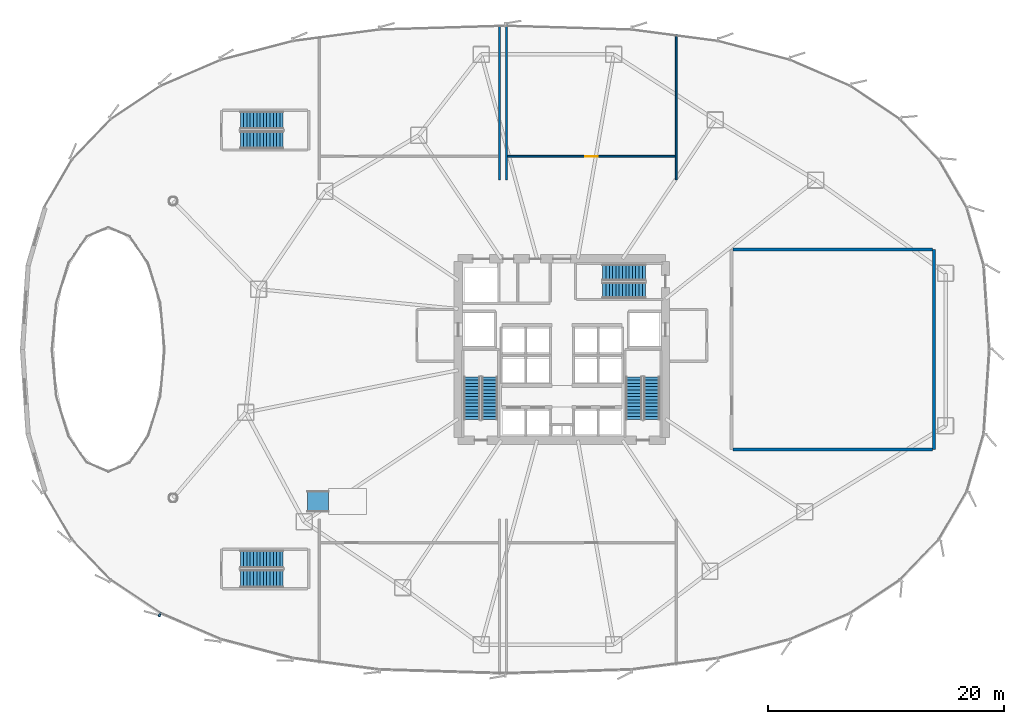
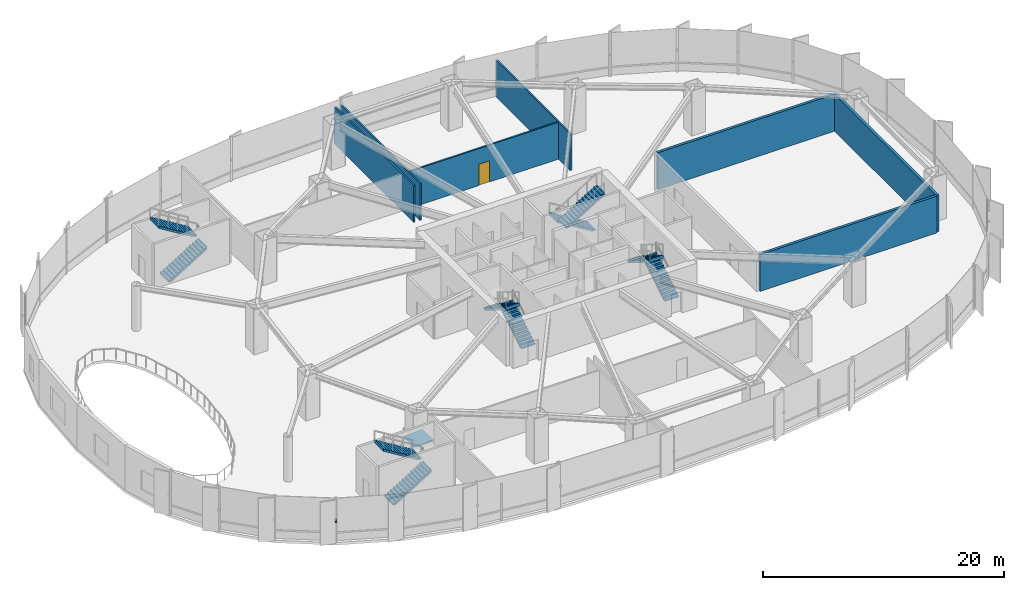
# One storey, part 25 of 33: 10 stair flights, 7 walls, 1 discrete accessory, 1 door, 1 ramp flight, 1 opening, 6 elements without a shape of their own.
"""IFC4 building model written with IfcOpenShell, lengths in metres."""

from ifc_helpers import new_model, si_unit, direction, frame, frame_2d, origin, origin_2d, place, context, subcontext, project, spatial, polyline, rectangle, outline, extrude, source, transform, mapped, material, layer, layer_set, type_object, element, fill, aggregate, save


model = new_model("IFC4")

# Units and contexts
model_context = context("Model", 3, precision=1e-05, world=origin(), true_north=direction((0.0, 1.0)))
body_context = subcontext(model_context, "Body", "Model", "MODEL_VIEW")
ifc_project = project(units=[si_unit("LENGTHUNIT", "METRE"), si_unit("AREAUNIT", "SQUARE_METRE"), si_unit("VOLUMEUNIT", "CUBIC_METRE"), si_unit("PLANEANGLEUNIT", "RADIAN"), si_unit("MASSUNIT", "GRAM", prefix="KILO"), si_unit("THERMODYNAMICTEMPERATUREUNIT", "KELVIN")], contexts=[model_context])

# Site, building, storey
site_placement = place(None, origin())
site = spatial("IfcSite", under=ifc_project, at=site_placement, CompositionType="ELEMENT")
building_placement = place(site_placement, origin())
building = spatial("IfcBuilding", under=site, at=building_placement, Name="Kethvar Cultural Tower", CompositionType="ELEMENT")
storey_placement = place(building_placement, frame((0.0, 0.0, 10.0)))
storey = spatial("IfcBuildingStorey", under=building, at=storey_placement, Name="L02", CompositionType="ELEMENT", Elevation=10.0)

# Wall, opening, door
ifc_material_1 = material(Name="Gypsum Fireboard Partition")
ifc_layer_1 = layer(ifc_material_1, 0.14990234375, Name="Gypsum Fireboard Partition")
ifc_layer_set_1 = layer_set([ifc_layer_1], Name="Gypsum Fireboard Partition (150 mm)")
wall_type_1 = type_object("IfcWallType", Name="WL-FIRE-150", PredefinedType="PARTITIONING", material=ifc_layer_set_1)
wall_1_placement = place(storey_placement, frame((42.10009765625, 44.199951171875, 0.0), z_axis=(0.0, 0.0, 1.0), x_axis=(1.0, 0.0, 0.0)))
wall_1 = element("IfcWall", 1, at=wall_1_placement, inside=storey, type_object=wall_type_1, Name="L02 Stage Acoustic Store Room Wall", PredefinedType="PARTITIONING", context=body_context, shape_type="SweptSolid", body=[
    extrude(rectangle(XDim=14.39990234375, YDim=0.14990234375, at=frame_2d((7.199951171875, 0.0))), origin(), (0.0, 0.0, 1.0), 3.742919921875),
])
opening_placement = place(wall_1_placement, frame((6.675048828125, 0.0, 0.0)))
opening = element("IfcOpeningElement", 2, at=opening_placement, cuts=wall_1, Name="Opening D-L02-P4", PredefinedType="OPENING", context=body_context, shape_type="SweptSolid", body=[
    extrude(rectangle(XDim=1.050048828125, YDim=2.14990234375, at=frame_2d((0.52490234375, 1.074951171875))), frame((0.0, 0.0849609375, 0.0), z_axis=(0.0, -1.0, 0.0), x_axis=(1.0, 0.0, 0.0)), (0.0, 0.0, 1.0), 0.169921875),
])
ifc_material_2 = material(Name="Steel S355J2", Category="steel")
door_type = type_object("IfcDoorType", Name="DR-FD60-1050", OperationType="NOTDEFINED", PredefinedType="DOOR", material=ifc_material_2)
shared_shape_1 = source(origin(), body_context, "Body", "SweptSolid", [
    extrude(rectangle(XDim=1.050048828125, YDim=2.14990234375, at=frame_2d((0.52490234375, 1.074951171875))), frame((0.0, 0.02490234375, 0.0), z_axis=(0.0, -1.0, 0.0), x_axis=(1.0, 0.0, 0.0)), (0.0, 0.0, 1.0), 0.050048828125),
])
door_placement = place(opening_placement, origin())
door = element("IfcDoor", 3, at=door_placement, inside=storey, type_object=door_type, Name="L02 Stage Acoustic Store Room Door", OperationType="SINGLE_SWING_LEFT", OverallHeight=2.14990234375, OverallWidth=1.050048828125, PredefinedType="DOOR", context=body_context, shape_type="MappedRepresentation", body=[
    mapped(shared_shape_1, transform((0.0, 0.0, 0.0), scale=1.0)),
])
fill(opening, door)

# Walls
ifc_material_3 = material(Name="Gypsum Acoustic Partition")
ifc_layer_2 = layer(ifc_material_3, 0.14990234375, Name="Gypsum Acoustic Partition")
ifc_layer_set_2 = layer_set([ifc_layer_2], Name="Gypsum Acoustic Partition (150 mm)")
wall_type_2 = type_object("IfcWallType", Name="WL-PART-150", PredefinedType="PARTITIONING", material=ifc_layer_set_2)
wall_2_placement = place(storey_placement, frame((41.5, 42.199951171875, 0.0), z_axis=(0.0, 0.0, 1.0), x_axis=(0.0, 1.0, 0.0)))
element("IfcWall", 4, at=wall_2_placement, inside=storey, type_object=wall_type_2, Name="L02 Backstage Performer Lounge Side Wall R", PredefinedType="PARTITIONING", context=body_context, shape_type="SweptSolid", body=[
    extrude(rectangle(XDim=13.18505859375, YDim=0.14990234375, at=frame_2d((6.592529296875, 0.0))), origin(), (0.0, 0.0, 1.0), 3.742919921875),
])
wall_3_placement = place(storey_placement, frame((42.10009765625, 42.199951171875, 0.0), z_axis=(0.0, 0.0, 1.0), x_axis=(0.0, 1.0, 0.0)))
element("IfcWall", 5, at=wall_3_placement, inside=storey, type_object=wall_type_2, Name="L02 Stage Acoustic Store Room Side Wall L", PredefinedType="PARTITIONING", context=body_context, shape_type="SweptSolid", body=[
    extrude(rectangle(XDim=13.197021484375, YDim=0.14990234375, at=frame_2d((6.5986328125, 0.0))), origin(), (0.0, 0.0, 1.0), 3.742919921875),
])
wall_4_placement = place(storey_placement, frame((56.5, 42.199951171875, 0.0), z_axis=(0.0, 0.0, 1.0), x_axis=(0.0, 1.0, 0.0)))
element("IfcWall", 6, at=wall_4_placement, inside=storey, type_object=wall_type_2, Name="L02 Stage Acoustic Store Room Side Wall R", PredefinedType="PARTITIONING", context=body_context, shape_type="SweptSolid", body=[
    extrude(rectangle(XDim=12.37841796875, YDim=0.14990234375, at=frame_2d((6.189208984375, 0.0))), origin(), (0.0, 0.0, 1.0), 3.742919921875),
])
ifc_material_4 = material(Name="Concrete C40/50", Category="concrete")
ifc_layer_3 = layer(ifc_material_4, 0.25, Name="Concrete C40/50", Category="concrete")
ifc_layer_set_3 = layer_set([ifc_layer_3], Name="Concrete C40/50 (250 mm)")
wall_type_3 = type_object("IfcWallType", Name="WL-SOLID-250", PredefinedType="SOLIDWALL", material=ifc_layer_set_3)
wall_5_placement = place(storey_placement, frame((78.39990234375, 19.300048828125, 0.0), z_axis=(0.0, 0.0, 1.0), x_axis=(0.0, 1.0, 0.0)))
element("IfcWall", 7, at=wall_5_placement, inside=storey, type_object=wall_type_3, Name="L02 Auditorium East Wall", PredefinedType="SOLIDWALL", context=body_context, shape_type="SweptSolid", body=[
    extrude(rectangle(XDim=17.0, YDim=0.25, at=frame_2d((8.5, 0.0))), origin(), (0.0, 0.0, 1.0), 3.742919921875),
])
for number, where, z_axis, x_axis, name in (
    (8, (61.340087890625, 19.300048828125, 0.0), (0.0, 0.0, 1.0), (1.0, 0.0, 0.0), "L02 Auditorium South Wall"),
    (9, (61.340087890625, 36.300048828125, 0.0), (0.0, 0.0, 1.0), (1.0, 0.0, 0.0), "L02 Auditorium North Wall"),
):
    element("IfcWall", number, at=place(storey_placement, frame(where, z_axis=z_axis, x_axis=x_axis)), inside=storey, type_object=wall_type_3, Name=name, PredefinedType="SOLIDWALL", context=body_context, shape_type="SweptSolid", body=[
        extrude(rectangle(XDim=16.919921875, YDim=0.25, at=frame_2d((8.4599609375, 0.0))), origin(), (0.0, 0.0, 1.0), 3.742919921875),
    ])

# Stair, stair flights
stair_type_1 = type_object("IfcStairType", Name="ST-DOGLEG-135", PredefinedType="HALF_TURN_STAIR", material=ifc_material_4)
stair_1_placement = place(storey_placement, origin())
stair_1 = element("IfcStair", 10, at=stair_1_placement, inside=storey, type_object=stair_type_1, Name="L02 Core Exit Stair 1", PredefinedType="HALF_TURN_STAIR")
stair_flight_type_1 = type_object("IfcStairFlightType", Name="FL-STRAIGHT-135", PredefinedType="STRAIGHT", material=ifc_material_4)
stair_flight_1_placement = place(storey_placement, frame((40.675048828125, 21.85009765625, 0.0), z_axis=(0.0, 0.0, 1.0), x_axis=(0.0, 1.0, 0.0)))
stair_flight_1 = element("IfcStairFlight", 11, at=stair_flight_1_placement, type_object=stair_flight_type_1, Name="ST-01 flight 1", NumberOfRisers=14, NumberOfTreads=13, PredefinedType="STRAIGHT", RiserHeight=0.171428571, TreadLength=0.28, context=body_context, shape_type="SweptSolid", body=[
    extrude(outline(polyline([(-0.0009765625, -0.0009765625), (-0.0009765625, 0.17138671875), (0.280029296875, 0.17138671875), (0.280029296875, 0.3427734375), (0.56005859375, 0.3427734375), (0.56005859375, 0.514404296875), (0.840087890625, 0.514404296875), (0.840087890625, 0.685791015625), (1.1201171875, 0.685791015625), (1.1201171875, 0.857177734375), (1.39990234375, 0.857177734375), (1.39990234375, 1.028564453125), (1.679931640625, 1.028564453125), (1.679931640625, 1.199951171875), (1.9599609375, 1.199951171875), (1.9599609375, 1.371337890625), (2.239990234375, 1.371337890625), (2.239990234375, 1.54296875), (2.52001953125, 1.54296875), (2.52001953125, 1.71435546875), (2.800048828125, 1.71435546875), (2.800048828125, 1.8857421875), (3.080078125, 1.8857421875), (3.080078125, 2.05712890625), (3.360107421875, 2.05712890625), (3.360107421875, 2.228515625), (3.639892578125, 2.228515625), (3.639892578125, 2.39990234375), (3.640869140625, 2.39990234375), (3.640869140625, 2.052734375), (0.287109375, 0.0), (0.0, -0.0009765625), (-0.0009765625, -0.0009765625)])), frame((0.0, 0.675048828125, 0.0), z_axis=(0.0, -1.0, 0.0), x_axis=(1.0, 0.0, 0.0)), (0.0, 0.0, 1.0), 1.35009765625),
])
stair_flight_2_placement = place(storey_placement, frame((39.1650390625, 25.489990234375, 2.39990234375), z_axis=(0.0, 0.0, 1.0), x_axis=(0.0, -1.0, 0.0)))
stair_flight_2 = element("IfcStairFlight", 12, at=stair_flight_2_placement, type_object=stair_flight_type_1, Name="ST-01 flight 2", NumberOfRisers=14, NumberOfTreads=13, PredefinedType="STRAIGHT", RiserHeight=0.171428571, TreadLength=0.28, context=body_context, shape_type="SweptSolid", body=[
    extrude(outline(polyline([(-0.0009765625, -0.0009765625), (-0.0009765625, 0.17138671875), (0.280029296875, 0.17138671875), (0.280029296875, 0.3427734375), (0.56005859375, 0.3427734375), (0.56005859375, 0.514404296875), (0.840087890625, 0.514404296875), (0.840087890625, 0.685791015625), (1.1201171875, 0.685791015625), (1.1201171875, 0.857177734375), (1.39990234375, 0.857177734375), (1.39990234375, 1.028564453125), (1.679931640625, 1.028564453125), (1.679931640625, 1.199951171875), (1.9599609375, 1.199951171875), (1.9599609375, 1.371337890625), (2.239990234375, 1.371337890625), (2.239990234375, 1.54296875), (2.52001953125, 1.54296875), (2.52001953125, 1.71435546875), (2.800048828125, 1.71435546875), (2.800048828125, 1.8857421875), (3.080078125, 1.8857421875), (3.080078125, 2.05712890625), (3.360107421875, 2.05712890625), (3.360107421875, 2.228515625), (3.639892578125, 2.228515625), (3.639892578125, 2.39990234375), (3.640869140625, 2.39990234375), (3.640869140625, 2.052734375), (0.287109375, 0.0), (0.0, -0.0009765625), (-0.0009765625, -0.0009765625)])), frame((0.0, 0.675048828125, 0.0), z_axis=(0.0, -1.0, 0.0), x_axis=(1.0, 0.0, 0.0)), (0.0, 0.0, 1.0), 1.35009765625),
])
aggregate(stair_1, [stair_flight_1, stair_flight_2])

stair_2_placement = place(storey_placement, origin())
stair_2 = element("IfcStair", 13, at=stair_2_placement, inside=storey, type_object=stair_type_1, Name="L02 Core Exit Stair 2", PredefinedType="HALF_TURN_STAIR")
stair_flight_3_placement = place(storey_placement, frame((54.43505859375, 21.85009765625, 0.0), z_axis=(0.0, 0.0, 1.0), x_axis=(0.0, 1.0, 0.0)))
stair_flight_3 = element("IfcStairFlight", 14, at=stair_flight_3_placement, type_object=stair_flight_type_1, Name="ST-02 flight 1", NumberOfRisers=14, NumberOfTreads=13, PredefinedType="STRAIGHT", RiserHeight=0.171428571, TreadLength=0.28, context=body_context, shape_type="SweptSolid", body=[
    extrude(outline(polyline([(-0.0009765625, -0.0009765625), (-0.0009765625, 0.17138671875), (0.280029296875, 0.17138671875), (0.280029296875, 0.3427734375), (0.56005859375, 0.3427734375), (0.56005859375, 0.514404296875), (0.840087890625, 0.514404296875), (0.840087890625, 0.685791015625), (1.1201171875, 0.685791015625), (1.1201171875, 0.857177734375), (1.39990234375, 0.857177734375), (1.39990234375, 1.028564453125), (1.679931640625, 1.028564453125), (1.679931640625, 1.199951171875), (1.9599609375, 1.199951171875), (1.9599609375, 1.371337890625), (2.239990234375, 1.371337890625), (2.239990234375, 1.54296875), (2.52001953125, 1.54296875), (2.52001953125, 1.71435546875), (2.800048828125, 1.71435546875), (2.800048828125, 1.8857421875), (3.080078125, 1.8857421875), (3.080078125, 2.05712890625), (3.360107421875, 2.05712890625), (3.360107421875, 2.228515625), (3.639892578125, 2.228515625), (3.639892578125, 2.39990234375), (3.640869140625, 2.39990234375), (3.640869140625, 2.052734375), (0.287109375, 0.0), (0.0, -0.0009765625), (-0.0009765625, -0.0009765625)])), frame((0.0, 0.675048828125, 0.0), z_axis=(0.0, -1.0, 0.0), x_axis=(1.0, 0.0, 0.0)), (0.0, 0.0, 1.0), 1.35009765625),
])
stair_flight_4_placement = place(storey_placement, frame((52.925048828125, 25.489990234375, 2.39990234375), z_axis=(0.0, 0.0, 1.0), x_axis=(0.0, -1.0, 0.0)))
stair_flight_4 = element("IfcStairFlight", 15, at=stair_flight_4_placement, type_object=stair_flight_type_1, Name="ST-02 flight 2", NumberOfRisers=14, NumberOfTreads=13, PredefinedType="STRAIGHT", RiserHeight=0.171428571, TreadLength=0.28, context=body_context, shape_type="SweptSolid", body=[
    extrude(outline(polyline([(-0.0009765625, -0.0009765625), (-0.0009765625, 0.17138671875), (0.280029296875, 0.17138671875), (0.280029296875, 0.3427734375), (0.56005859375, 0.3427734375), (0.56005859375, 0.514404296875), (0.840087890625, 0.514404296875), (0.840087890625, 0.685791015625), (1.1201171875, 0.685791015625), (1.1201171875, 0.857177734375), (1.39990234375, 0.857177734375), (1.39990234375, 1.028564453125), (1.679931640625, 1.028564453125), (1.679931640625, 1.199951171875), (1.9599609375, 1.199951171875), (1.9599609375, 1.371337890625), (2.239990234375, 1.371337890625), (2.239990234375, 1.54296875), (2.52001953125, 1.54296875), (2.52001953125, 1.71435546875), (2.800048828125, 1.71435546875), (2.800048828125, 1.8857421875), (3.080078125, 1.8857421875), (3.080078125, 2.05712890625), (3.360107421875, 2.05712890625), (3.360107421875, 2.228515625), (3.639892578125, 2.228515625), (3.639892578125, 2.39990234375), (3.640869140625, 2.39990234375), (3.640869140625, 2.052734375), (0.287109375, 0.0), (0.0, -0.0009765625), (-0.0009765625, -0.0009765625)])), frame((0.0, 0.675048828125, 0.0), z_axis=(0.0, -1.0, 0.0), x_axis=(1.0, 0.0, 0.0)), (0.0, 0.0, 1.0), 1.35009765625),
])
aggregate(stair_2, [stair_flight_3, stair_flight_4])

stair_3_placement = place(storey_placement, origin())
stair_3 = element("IfcStair", 16, at=stair_3_placement, inside=storey, type_object=stair_type_1, Name="L02 Core Exit Stair 3", PredefinedType="HALF_TURN_STAIR")
stair_flight_5_placement = place(storey_placement, frame((53.89990234375, 34.3349609375, 0.0), z_axis=(0.0, 0.0, 1.0), x_axis=(-1.0, 0.0, 0.0)))
stair_flight_5 = element("IfcStairFlight", 17, at=stair_flight_5_placement, type_object=stair_flight_type_1, Name="ST-03 flight 1", NumberOfRisers=14, NumberOfTreads=13, PredefinedType="STRAIGHT", RiserHeight=0.171428571, TreadLength=0.28, context=body_context, shape_type="SweptSolid", body=[
    extrude(outline(polyline([(-0.0009765625, -0.0009765625), (-0.0009765625, 0.17138671875), (0.280029296875, 0.17138671875), (0.280029296875, 0.3427734375), (0.56005859375, 0.3427734375), (0.56005859375, 0.514404296875), (0.840087890625, 0.514404296875), (0.840087890625, 0.685791015625), (1.1201171875, 0.685791015625), (1.1201171875, 0.857177734375), (1.39990234375, 0.857177734375), (1.39990234375, 1.028564453125), (1.679931640625, 1.028564453125), (1.679931640625, 1.199951171875), (1.9599609375, 1.199951171875), (1.9599609375, 1.371337890625), (2.239990234375, 1.371337890625), (2.239990234375, 1.54296875), (2.52001953125, 1.54296875), (2.52001953125, 1.71435546875), (2.800048828125, 1.71435546875), (2.800048828125, 1.8857421875), (3.080078125, 1.8857421875), (3.080078125, 2.05712890625), (3.360107421875, 2.05712890625), (3.360107421875, 2.228515625), (3.639892578125, 2.228515625), (3.639892578125, 2.39990234375), (3.640869140625, 2.39990234375), (3.640869140625, 2.052734375), (0.287109375, 0.0), (0.0, -0.0009765625), (-0.0009765625, -0.0009765625)])), frame((0.0, 0.675048828125, 0.0), z_axis=(0.0, -1.0, 0.0), x_axis=(1.0, 0.0, 0.0)), (0.0, 0.0, 1.0), 1.35009765625),
])
stair_flight_6_placement = place(storey_placement, frame((50.260009765625, 32.824951171875, 2.39990234375), z_axis=(0.0, 0.0, 1.0), x_axis=(1.0, 0.0, 0.0)))
stair_flight_6 = element("IfcStairFlight", 18, at=stair_flight_6_placement, type_object=stair_flight_type_1, Name="ST-03 flight 2", NumberOfRisers=14, NumberOfTreads=13, PredefinedType="STRAIGHT", RiserHeight=0.171428571, TreadLength=0.28, context=body_context, shape_type="SweptSolid", body=[
    extrude(outline(polyline([(-0.0009765625, -0.0009765625), (-0.0009765625, 0.17138671875), (0.280029296875, 0.17138671875), (0.280029296875, 0.3427734375), (0.56005859375, 0.3427734375), (0.56005859375, 0.514404296875), (0.840087890625, 0.514404296875), (0.840087890625, 0.685791015625), (1.1201171875, 0.685791015625), (1.1201171875, 0.857177734375), (1.39990234375, 0.857177734375), (1.39990234375, 1.028564453125), (1.679931640625, 1.028564453125), (1.679931640625, 1.199951171875), (1.9599609375, 1.199951171875), (1.9599609375, 1.371337890625), (2.239990234375, 1.371337890625), (2.239990234375, 1.54296875), (2.52001953125, 1.54296875), (2.52001953125, 1.71435546875), (2.800048828125, 1.71435546875), (2.800048828125, 1.8857421875), (3.080078125, 1.8857421875), (3.080078125, 2.05712890625), (3.360107421875, 2.05712890625), (3.360107421875, 2.228515625), (3.639892578125, 2.228515625), (3.639892578125, 2.39990234375), (3.640869140625, 2.39990234375), (3.640869140625, 2.052734375), (0.287109375, 0.0), (0.0, -0.0009765625), (-0.0009765625, -0.0009765625)])), frame((0.0, 0.675048828125, 0.0), z_axis=(0.0, -1.0, 0.0), x_axis=(1.0, 0.0, 0.0)), (0.0, 0.0, 1.0), 1.35009765625),
])
aggregate(stair_3, [stair_flight_5, stair_flight_6])

stair_type_2 = type_object("IfcStairType", Name="ST-DOGLEG-150", PredefinedType="HALF_TURN_STAIR", material=ifc_material_4)
stair_4_placement = place(storey_placement, origin())
stair_4 = element("IfcStair", 19, at=stair_4_placement, inside=storey, type_object=stair_type_2, Name="L02 Podium Auditorium Exit Stair 4", PredefinedType="HALF_TURN_STAIR")
stair_flight_type_2 = type_object("IfcStairFlightType", Name="FL-STRAIGHT-150", PredefinedType="STRAIGHT", material=ifc_material_4)
stair_flight_7_placement = place(storey_placement, frame((19.5, 8.35009765625, 0.0), z_axis=(0.0, 0.0, 1.0), x_axis=(1.0, 0.0, 0.0)))
stair_flight_7 = element("IfcStairFlight", 20, at=stair_flight_7_placement, type_object=stair_flight_type_2, Name="ST-04 flight 1", NumberOfRisers=14, NumberOfTreads=13, PredefinedType="STRAIGHT", RiserHeight=0.171428571, TreadLength=0.28, context=body_context, shape_type="SweptSolid", body=[
    extrude(outline(polyline([(-0.0009765625, -0.0009765625), (-0.0009765625, 0.17138671875), (0.280029296875, 0.17138671875), (0.280029296875, 0.3427734375), (0.56005859375, 0.3427734375), (0.56005859375, 0.514404296875), (0.840087890625, 0.514404296875), (0.840087890625, 0.685791015625), (1.1201171875, 0.685791015625), (1.1201171875, 0.857177734375), (1.39990234375, 0.857177734375), (1.39990234375, 1.028564453125), (1.679931640625, 1.028564453125), (1.679931640625, 1.199951171875), (1.9599609375, 1.199951171875), (1.9599609375, 1.371337890625), (2.239990234375, 1.371337890625), (2.239990234375, 1.54296875), (2.52001953125, 1.54296875), (2.52001953125, 1.71435546875), (2.800048828125, 1.71435546875), (2.800048828125, 1.8857421875), (3.080078125, 1.8857421875), (3.080078125, 2.05712890625), (3.360107421875, 2.05712890625), (3.360107421875, 2.228515625), (3.639892578125, 2.228515625), (3.639892578125, 2.39990234375), (3.640869140625, 2.39990234375), (3.640869140625, 2.052734375), (0.287109375, 0.0), (0.0, -0.0009765625), (-0.0009765625, -0.0009765625)])), frame((0.0, 0.75, 0.0), z_axis=(0.0, -1.0, 0.0), x_axis=(1.0, 0.0, 0.0)), (0.0, 0.0, 1.0), 1.5),
])
stair_flight_8_placement = place(storey_placement, frame((23.139892578125, 10.010009765625, 2.39990234375), z_axis=(0.0, 0.0, 1.0), x_axis=(-1.0, 0.0, 0.0)))
stair_flight_8 = element("IfcStairFlight", 21, at=stair_flight_8_placement, type_object=stair_flight_type_2, Name="ST-04 flight 2", NumberOfRisers=14, NumberOfTreads=13, PredefinedType="STRAIGHT", RiserHeight=0.171428571, TreadLength=0.28, context=body_context, shape_type="SweptSolid", body=[
    extrude(outline(polyline([(-0.0009765625, -0.0009765625), (-0.0009765625, 0.17138671875), (0.280029296875, 0.17138671875), (0.280029296875, 0.3427734375), (0.56005859375, 0.3427734375), (0.56005859375, 0.514404296875), (0.840087890625, 0.514404296875), (0.840087890625, 0.685791015625), (1.1201171875, 0.685791015625), (1.1201171875, 0.857177734375), (1.39990234375, 0.857177734375), (1.39990234375, 1.028564453125), (1.679931640625, 1.028564453125), (1.679931640625, 1.199951171875), (1.9599609375, 1.199951171875), (1.9599609375, 1.371337890625), (2.239990234375, 1.371337890625), (2.239990234375, 1.54296875), (2.52001953125, 1.54296875), (2.52001953125, 1.71435546875), (2.800048828125, 1.71435546875), (2.800048828125, 1.8857421875), (3.080078125, 1.8857421875), (3.080078125, 2.05712890625), (3.360107421875, 2.05712890625), (3.360107421875, 2.228515625), (3.639892578125, 2.228515625), (3.639892578125, 2.39990234375), (3.640869140625, 2.39990234375), (3.640869140625, 2.052734375), (0.287109375, 0.0), (0.0, -0.0009765625), (-0.0009765625, -0.0009765625)])), frame((0.0, 0.75, 0.0), z_axis=(0.0, -1.0, 0.0), x_axis=(1.0, 0.0, 0.0)), (0.0, 0.0, 1.0), 1.5),
])
aggregate(stair_4, [stair_flight_7, stair_flight_8])

stair_5_placement = place(storey_placement, origin())
stair_5 = element("IfcStair", 22, at=stair_5_placement, inside=storey, type_object=stair_type_2, Name="L02 Podium Auditorium Exit Stair 5", PredefinedType="HALF_TURN_STAIR")
stair_flight_9_placement = place(storey_placement, frame((19.5, 45.590087890625, 0.0), z_axis=(0.0, 0.0, 1.0), x_axis=(1.0, 0.0, 0.0)))
stair_flight_9 = element("IfcStairFlight", 23, at=stair_flight_9_placement, type_object=stair_flight_type_2, Name="ST-05 flight 1", NumberOfRisers=14, NumberOfTreads=13, PredefinedType="STRAIGHT", RiserHeight=0.171428571, TreadLength=0.28, context=body_context, shape_type="SweptSolid", body=[
    extrude(outline(polyline([(-0.0009765625, -0.0009765625), (-0.0009765625, 0.17138671875), (0.280029296875, 0.17138671875), (0.280029296875, 0.3427734375), (0.56005859375, 0.3427734375), (0.56005859375, 0.514404296875), (0.840087890625, 0.514404296875), (0.840087890625, 0.685791015625), (1.1201171875, 0.685791015625), (1.1201171875, 0.857177734375), (1.39990234375, 0.857177734375), (1.39990234375, 1.028564453125), (1.679931640625, 1.028564453125), (1.679931640625, 1.199951171875), (1.9599609375, 1.199951171875), (1.9599609375, 1.371337890625), (2.239990234375, 1.371337890625), (2.239990234375, 1.54296875), (2.52001953125, 1.54296875), (2.52001953125, 1.71435546875), (2.800048828125, 1.71435546875), (2.800048828125, 1.8857421875), (3.080078125, 1.8857421875), (3.080078125, 2.05712890625), (3.360107421875, 2.05712890625), (3.360107421875, 2.228515625), (3.639892578125, 2.228515625), (3.639892578125, 2.39990234375), (3.640869140625, 2.39990234375), (3.640869140625, 2.052734375), (0.287109375, 0.0), (0.0, -0.0009765625), (-0.0009765625, -0.0009765625)])), frame((0.0, 0.75, 0.0), z_axis=(0.0, -1.0, 0.0), x_axis=(1.0, 0.0, 0.0)), (0.0, 0.0, 1.0), 1.5),
])
stair_flight_10_placement = place(storey_placement, frame((23.139892578125, 47.25, 2.39990234375), z_axis=(0.0, 0.0, 1.0), x_axis=(-1.0, 0.0, 0.0)))
stair_flight_10 = element("IfcStairFlight", 24, at=stair_flight_10_placement, type_object=stair_flight_type_2, Name="ST-05 flight 2", NumberOfRisers=14, NumberOfTreads=13, PredefinedType="STRAIGHT", RiserHeight=0.171428571, TreadLength=0.28, context=body_context, shape_type="SweptSolid", body=[
    extrude(outline(polyline([(-0.0009765625, -0.0009765625), (-0.0009765625, 0.17138671875), (0.280029296875, 0.17138671875), (0.280029296875, 0.3427734375), (0.56005859375, 0.3427734375), (0.56005859375, 0.514404296875), (0.840087890625, 0.514404296875), (0.840087890625, 0.685791015625), (1.1201171875, 0.685791015625), (1.1201171875, 0.857177734375), (1.39990234375, 0.857177734375), (1.39990234375, 1.028564453125), (1.679931640625, 1.028564453125), (1.679931640625, 1.199951171875), (1.9599609375, 1.199951171875), (1.9599609375, 1.371337890625), (2.239990234375, 1.371337890625), (2.239990234375, 1.54296875), (2.52001953125, 1.54296875), (2.52001953125, 1.71435546875), (2.800048828125, 1.71435546875), (2.800048828125, 1.8857421875), (3.080078125, 1.8857421875), (3.080078125, 2.05712890625), (3.360107421875, 2.05712890625), (3.360107421875, 2.228515625), (3.639892578125, 2.228515625), (3.639892578125, 2.39990234375), (3.640869140625, 2.39990234375), (3.640869140625, 2.052734375), (0.287109375, 0.0), (0.0, -0.0009765625), (-0.0009765625, -0.0009765625)])), frame((0.0, 0.75, 0.0), z_axis=(0.0, -1.0, 0.0), x_axis=(1.0, 0.0, 0.0)), (0.0, 0.0, 1.0), 1.5),
])
aggregate(stair_5, [stair_flight_9, stair_flight_10])

# Ramp, ramp flight
ramp_type = type_object("IfcRampType", Name="RMP-ACC-1800", PredefinedType="STRAIGHT_RUN_RAMP", material=ifc_material_4)
ramp_placement = place(storey_placement, origin())
ramp = element("IfcRamp", 25, at=ramp_placement, inside=storey, type_object=ramp_type, Name="L02 Accessible Foyer Ramp 3", PredefinedType="STRAIGHT_RUN_RAMP")
ifc_layer_4 = layer(ifc_material_4, 0.1201171875, Name="Concrete C40/50", Category="concrete")
ifc_layer_set_4 = layer_set([ifc_layer_4], Name="Concrete C40/50 (120 mm)")
ramp_flight_type = type_object("IfcRampFlightType", Name="RFL-ACC-1800", PredefinedType="STRAIGHT", material=ifc_layer_set_4)
ramp_flight_placement = place(storey_placement, frame((25.199951171875, 14.89990234375, 0.0), z_axis=(0.0, 0.0, 1.0), x_axis=(1.0, 0.0, 0.0)))
ramp_flight = element("IfcRampFlight", 26, at=ramp_flight_placement, type_object=ramp_flight_type, Name="L02 Accessible Foyer Ramp Flight 3", PredefinedType="STRAIGHT", context=body_context, shape_type="SweptSolid", body=[
    extrude(outline(polyline([(-0.0009765625, -0.0009765625), (1.801025390625, -0.0009765625), (1.801025390625, 0.1201171875), (-0.0009765625, 0.008056640625), (-0.0009765625, -0.0009765625)])), frame((0.0, 0.89990234375, 0.0), z_axis=(0.0, -1.0, 0.0), x_axis=(1.0, 0.0, 0.0)), (0.0, 0.0, 1.0), 1.800048828125),
])
aggregate(ramp, [ramp_flight])

# Discrete accessory
discrete_accessory_type = type_object("IfcDiscreteAccessoryType", Name="Steel Fin Bracket BRK-01", PredefinedType="BRACKET", material=ifc_material_2)
shared_shape_2 = source(origin(), body_context, "Body", "SweptSolid", [
    extrude(rectangle(XDim=0.3798828125, YDim=0.159912109375, at=origin_2d()), origin(), (0.0, 0.0, 1.0), 0.179931640625),
])
discrete_accessory_placement = place(storey_placement, frame((12.669677734375, 5.306884765625, 2.1298828125), z_axis=(0.0, 0.0, 1.0), x_axis=(-0.396346847517, -0.9181008531, 0.0)))
element("IfcDiscreteAccessory", 27, at=discrete_accessory_placement, inside=storey, type_object=discrete_accessory_type, Name="L02 Terracotta Fin Bracket 4.4", PredefinedType="BRACKET", context=body_context, shape_type="MappedRepresentation", body=[
    mapped(shared_shape_2, transform((0.0, 0.0, 0.0), scale=1.0)),
])

save(model, "model.ifc")
